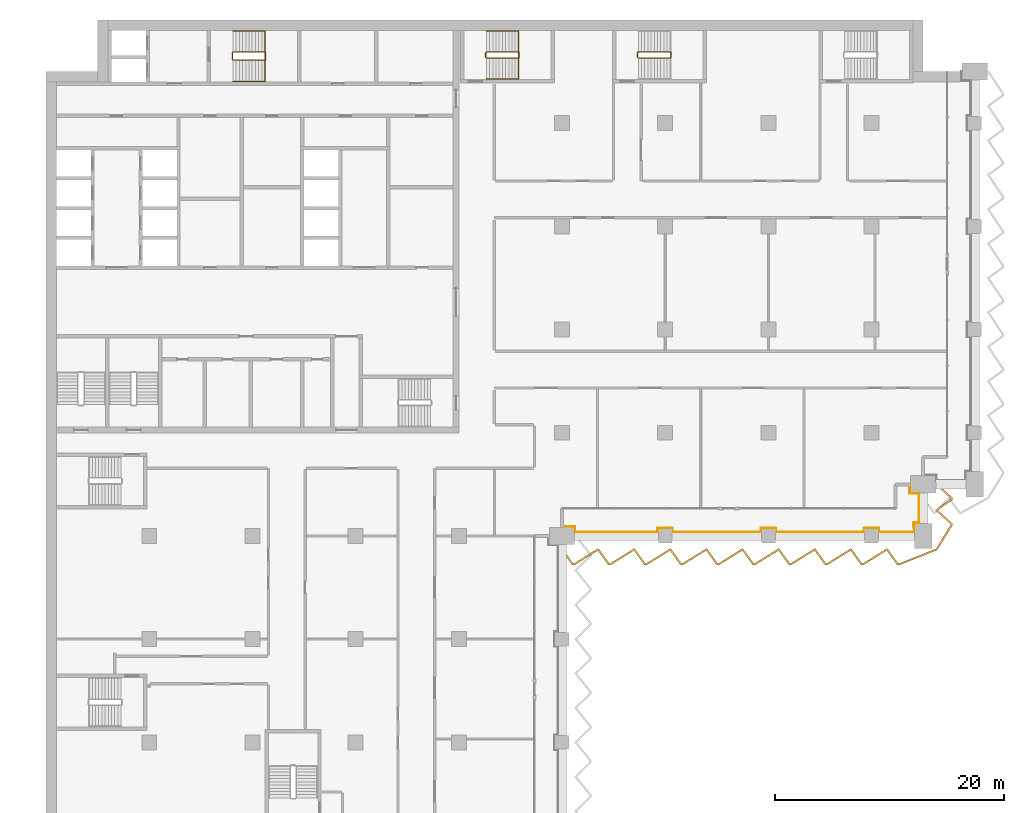
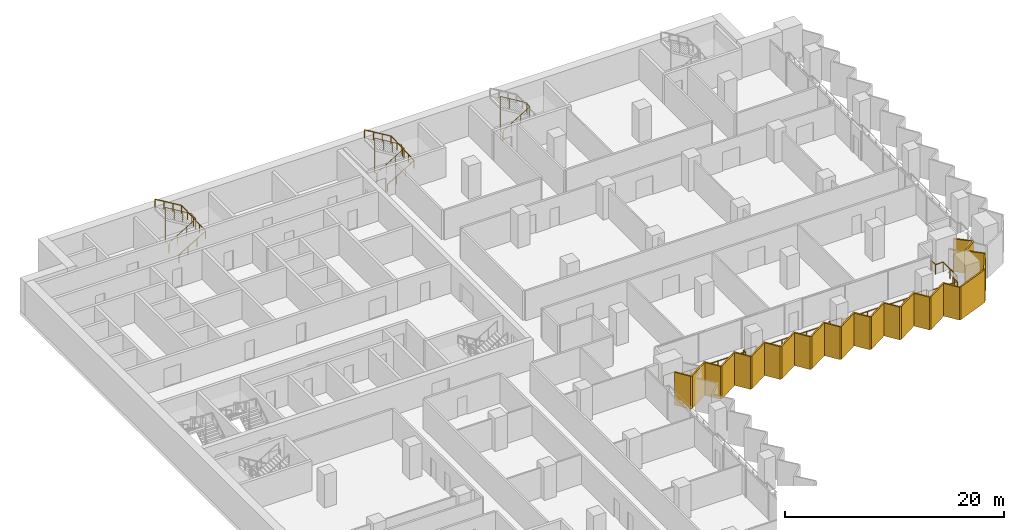
# One storey, part 21 of 22: 6 railings, 1 shading device.
"""IFC4 building model written with IfcOpenShell, lengths in metres."""

from ifc_helpers import new_model, si_unit, direction, frame, origin, origin_2d, place, context, subcontext, project, spatial, polyline, circle, outline, extrude, material, layer, layer_set, type_object, element, save


model = new_model("IFC4")

# Units and contexts
model_context = context("Model", 3, precision=1e-05, world=origin(), true_north=direction((0.0, 1.0)))
body_context = subcontext(model_context, "Body", "Model", "MODEL_VIEW")
ifc_project = project(units=[si_unit("LENGTHUNIT", "METRE"), si_unit("AREAUNIT", "SQUARE_METRE"), si_unit("VOLUMEUNIT", "CUBIC_METRE"), si_unit("PLANEANGLEUNIT", "RADIAN"), si_unit("MASSUNIT", "GRAM", prefix="KILO")], contexts=[model_context])

# Site, building, storey
site_placement = place(None, origin())
site = spatial("IfcSite", under=ifc_project, at=site_placement, CompositionType="ELEMENT")
building_placement = place(site_placement, origin())
building = spatial("IfcBuilding", under=site, at=building_placement, Name="Hunhe Ridgeline Campus", CompositionType="ELEMENT")
storey_placement = place(building_placement, frame((0.0, 0.0, 88.5)))
storey = spatial("IfcBuildingStorey", under=building, at=storey_placement, Name="L21", CompositionType="ELEMENT", Elevation=88.5)

# Railing
ifc_material_1 = material(Name="Steel Q355", Category="steel")
railing_type_1 = type_object("IfcRailingType", Name="Loggia guard 1100 Steel Q355", PredefinedType="GUARDRAIL", material=ifc_material_1)
railing_1_placement = place(storey_placement, frame((45.0, 54.820068359375, 0.0)))
element("IfcRailing", 1, at=railing_1_placement, inside=storey, type_object=railing_type_1, Name="Loggia guard 2", PredefinedType="GUARDRAIL", context=body_context, shape_type="SweptSolid", body=[
    extrude(circle(Radius=0.02392578125, at=origin_2d()), frame((0.0, 0.0, 1.076171875), z_axis=(1.0, 0.0, 0.0), x_axis=(0.0, 1.0, 0.0)), (0.0, 0.0, 1.0), 1.14990234375),
    extrude(circle(Radius=0.02392578125, at=origin_2d()), frame((1.14990234375, 0.0, 1.076171875), z_axis=(0.0, -1.0, 0.0), x_axis=(1.0, 0.0, 0.0)), (0.0, 0.0, 1.0), 0.469970703125),
    extrude(circle(Radius=0.02392578125, at=origin_2d()), frame((1.14990234375, -0.469970703125, 1.076171875), z_axis=(1.0, 0.0, 0.0), x_axis=(0.0, 1.0, 0.0)), (0.0, 0.0, 1.0), 7.2001953125),
    extrude(circle(Radius=0.02392578125, at=origin_2d()), frame((8.35009765625, -0.469970703125, 1.076171875), z_axis=(0.0, 1.0, 0.0), x_axis=(-1.0, 0.0, 0.0)), (0.0, 0.0, 1.0), 0.31982421875),
    extrude(circle(Radius=0.02392578125, at=origin_2d()), frame((8.35009765625, -0.150146484375, 1.076171875), z_axis=(1.0, 0.0, 0.0), x_axis=(0.0, 1.0, 0.0)), (0.0, 0.0, 1.0), 1.2998046875),
    extrude(circle(Radius=0.02392578125, at=origin_2d()), frame((9.64990234375, -0.150146484375, 1.076171875), z_axis=(0.0, -1.0, 0.0), x_axis=(1.0, 0.0, 0.0)), (0.0, 0.0, 1.0), 0.31982421875),
    extrude(circle(Radius=0.02392578125, at=origin_2d()), frame((9.64990234375, -0.469970703125, 1.076171875), z_axis=(1.0, 0.0, 0.0), x_axis=(0.0, 1.0, 0.0)), (0.0, 0.0, 1.0), 7.7001953125),
    extrude(circle(Radius=0.02392578125, at=origin_2d()), frame((17.35009765625, -0.469970703125, 1.076171875), z_axis=(0.0, 1.0, 0.0), x_axis=(-1.0, 0.0, 0.0)), (0.0, 0.0, 1.0), 0.31982421875),
    extrude(circle(Radius=0.02392578125, at=origin_2d()), frame((17.35009765625, -0.150146484375, 1.076171875), z_axis=(1.0, 0.0, 0.0), x_axis=(0.0, 1.0, 0.0)), (0.0, 0.0, 1.0), 1.2998046875),
    extrude(circle(Radius=0.02392578125, at=origin_2d()), frame((18.64990234375, -0.150146484375, 1.076171875), z_axis=(0.0, -1.0, 0.0), x_axis=(1.0, 0.0, 0.0)), (0.0, 0.0, 1.0), 0.31982421875),
    extrude(circle(Radius=0.02392578125, at=origin_2d()), frame((18.64990234375, -0.469970703125, 1.076171875), z_axis=(1.0, 0.0, 0.0), x_axis=(0.0, 1.0, 0.0)), (0.0, 0.0, 1.0), 7.7001953125),
    extrude(circle(Radius=0.02392578125, at=origin_2d()), frame((26.35009765625, -0.469970703125, 1.076171875), z_axis=(0.0, 1.0, 0.0), x_axis=(-1.0, 0.0, 0.0)), (0.0, 0.0, 1.0), 0.31982421875),
    extrude(circle(Radius=0.02392578125, at=origin_2d()), frame((26.35009765625, -0.150146484375, 1.076171875), z_axis=(1.0, 0.0, 0.0), x_axis=(0.0, 1.0, 0.0)), (0.0, 0.0, 1.0), 1.2998046875),
    extrude(circle(Radius=0.02392578125, at=origin_2d()), frame((27.64990234375, -0.150146484375, 1.076171875), z_axis=(0.0, -1.0, 0.0), x_axis=(1.0, 0.0, 0.0)), (0.0, 0.0, 1.0), 0.31982421875),
    extrude(circle(Radius=0.02392578125, at=origin_2d()), frame((27.64990234375, -0.469970703125, 1.076171875), z_axis=(1.0, 0.0, 0.0), x_axis=(0.0, 1.0, 0.0)), (0.0, 0.0, 1.0), 3.050048828125),
    extrude(circle(Radius=0.02392578125, at=origin_2d()), frame((30.699951171875, -0.469970703125, 1.076171875), z_axis=(0.0, 1.0, 0.0), x_axis=(-1.0, 0.0, 0.0)), (0.0, 0.0, 1.0), 0.81982421875),
    extrude(circle(Radius=0.02392578125, at=origin_2d()), frame((30.699951171875, 0.349853515625, 1.076171875), z_axis=(-0.057129153726, -0.99836679622, 0.0), x_axis=(0.99836679622, -0.057129153726, 0.0)), (0.0, 0.0, 1.0), 0.350341796875),
    extrude(circle(Radius=0.02392578125, at=origin_2d()), frame((30.679931640625, 0.0, 1.076171875), z_axis=(0.0, 1.0, 0.0), x_axis=(-1.0, 0.0, 0.0)), (0.0, 0.0, 1.0), 0.329833984375),
    extrude(circle(Radius=0.02392578125, at=origin_2d()), frame((30.679931640625, 0.329833984375, 1.076171875), z_axis=(1.0, 0.0, 0.0), x_axis=(0.0, 1.0, 0.0)), (0.0, 0.0, 1.0), 0.469970703125),
    extrude(circle(Radius=0.02392578125, at=origin_2d()), frame((31.14990234375, 0.329833984375, 1.076171875), z_axis=(0.0, 1.0, 0.0), x_axis=(-1.0, 0.0, 0.0)), (0.0, 0.0, 1.0), 2.550048828125),
    extrude(circle(Radius=0.02392578125, at=origin_2d()), frame((31.14990234375, 2.8798828125, 1.076171875), z_axis=(-1.0, 0.0, 0.0), x_axis=(0.0, -1.0, 0.0)), (0.0, 0.0, 1.0), 0.81982421875),
    extrude(circle(Radius=0.02392578125, at=origin_2d()), frame((30.330078125, 2.8798828125, 1.076171875), z_axis=(0.0, 1.0, 0.0), x_axis=(-1.0, 0.0, 0.0)), (0.0, 0.0, 1.0), 0.800048828125),
    extrude(circle(Radius=0.02099609375, at=origin_2d()), origin(), (0.0, 0.0, 1.0), 1.052001953125),
    extrude(circle(Radius=0.02099609375, at=origin_2d()), frame((1.14990234375, 0.0, 0.0)), (0.0, 0.0, 1.0), 1.052001953125),
    extrude(circle(Radius=0.02099609375, at=origin_2d()), frame((1.14990234375, -0.469970703125, 0.0)), (0.0, 0.0, 1.0), 1.052001953125),
    extrude(circle(Radius=0.02099609375, at=origin_2d()), frame((2.58984375, -0.469970703125, 0.0)), (0.0, 0.0, 1.0), 1.052001953125),
    extrude(circle(Radius=0.02099609375, at=origin_2d()), frame((4.030029296875, -0.469970703125, 0.0)), (0.0, 0.0, 1.0), 1.052001953125),
    extrude(circle(Radius=0.02099609375, at=origin_2d()), frame((5.469970703125, -0.469970703125, 0.0)), (0.0, 0.0, 1.0), 1.052001953125),
    extrude(circle(Radius=0.02099609375, at=origin_2d()), frame((6.91015625, -0.469970703125, 0.0)), (0.0, 0.0, 1.0), 1.052001953125),
    extrude(circle(Radius=0.02099609375, at=origin_2d()), frame((8.35009765625, -0.469970703125, 0.0)), (0.0, 0.0, 1.0), 1.052001953125),
    extrude(circle(Radius=0.02099609375, at=origin_2d()), frame((8.35009765625, -0.150146484375, 0.0)), (0.0, 0.0, 1.0), 1.052001953125),
    extrude(circle(Radius=0.02099609375, at=origin_2d()), frame((9.64990234375, -0.150146484375, 0.0)), (0.0, 0.0, 1.0), 1.052001953125),
    extrude(circle(Radius=0.02099609375, at=origin_2d()), frame((9.64990234375, -0.469970703125, 0.0)), (0.0, 0.0, 1.0), 1.052001953125),
    extrude(circle(Radius=0.02099609375, at=origin_2d()), frame((10.933349609375, -0.469970703125, 0.0)), (0.0, 0.0, 1.0), 1.052001953125),
    extrude(circle(Radius=0.02099609375, at=origin_2d()), frame((12.216552734375, -0.469970703125, 0.0)), (0.0, 0.0, 1.0), 1.052001953125),
    extrude(circle(Radius=0.02099609375, at=origin_2d()), frame((13.5, -0.469970703125, 0.0)), (0.0, 0.0, 1.0), 1.052001953125),
    extrude(circle(Radius=0.02099609375, at=origin_2d()), frame((14.783447265625, -0.469970703125, 0.0)), (0.0, 0.0, 1.0), 1.052001953125),
    extrude(circle(Radius=0.02099609375, at=origin_2d()), frame((16.066650390625, -0.469970703125, 0.0)), (0.0, 0.0, 1.0), 1.052001953125),
    extrude(circle(Radius=0.02099609375, at=origin_2d()), frame((17.35009765625, -0.469970703125, 0.0)), (0.0, 0.0, 1.0), 1.052001953125),
    extrude(circle(Radius=0.02099609375, at=origin_2d()), frame((17.35009765625, -0.150146484375, 0.0)), (0.0, 0.0, 1.0), 1.052001953125),
    extrude(circle(Radius=0.02099609375, at=origin_2d()), frame((18.64990234375, -0.150146484375, 0.0)), (0.0, 0.0, 1.0), 1.052001953125),
    extrude(circle(Radius=0.02099609375, at=origin_2d()), frame((18.64990234375, -0.469970703125, 0.0)), (0.0, 0.0, 1.0), 1.052001953125),
    extrude(circle(Radius=0.02099609375, at=origin_2d()), frame((19.933349609375, -0.469970703125, 0.0)), (0.0, 0.0, 1.0), 1.052001953125),
    extrude(circle(Radius=0.02099609375, at=origin_2d()), frame((21.216552734375, -0.469970703125, 0.0)), (0.0, 0.0, 1.0), 1.052001953125),
    extrude(circle(Radius=0.02099609375, at=origin_2d()), frame((22.5, -0.469970703125, 0.0)), (0.0, 0.0, 1.0), 1.052001953125),
    extrude(circle(Radius=0.02099609375, at=origin_2d()), frame((23.783447265625, -0.469970703125, 0.0)), (0.0, 0.0, 1.0), 1.052001953125),
    extrude(circle(Radius=0.02099609375, at=origin_2d()), frame((25.066650390625, -0.469970703125, 0.0)), (0.0, 0.0, 1.0), 1.052001953125),
    extrude(circle(Radius=0.02099609375, at=origin_2d()), frame((26.35009765625, -0.469970703125, 0.0)), (0.0, 0.0, 1.0), 1.052001953125),
    extrude(circle(Radius=0.02099609375, at=origin_2d()), frame((26.35009765625, -0.150146484375, 0.0)), (0.0, 0.0, 1.0), 1.052001953125),
    extrude(circle(Radius=0.02099609375, at=origin_2d()), frame((27.64990234375, -0.150146484375, 0.0)), (0.0, 0.0, 1.0), 1.052001953125),
    extrude(circle(Radius=0.02099609375, at=origin_2d()), frame((27.64990234375, -0.469970703125, 0.0)), (0.0, 0.0, 1.0), 1.052001953125),
    extrude(circle(Radius=0.02099609375, at=origin_2d()), frame((28.66650390625, -0.469970703125, 0.0)), (0.0, 0.0, 1.0), 1.052001953125),
    extrude(circle(Radius=0.02099609375, at=origin_2d()), frame((29.683349609375, -0.469970703125, 0.0)), (0.0, 0.0, 1.0), 1.052001953125),
    extrude(circle(Radius=0.02099609375, at=origin_2d()), frame((30.699951171875, -0.469970703125, 0.0)), (0.0, 0.0, 1.0), 1.052001953125),
    extrude(circle(Radius=0.02099609375, at=origin_2d()), frame((30.699951171875, 0.349853515625, 0.0)), (0.0, 0.0, 1.0), 1.052001953125),
    extrude(circle(Radius=0.02099609375, at=origin_2d()), frame((30.679931640625, 0.0, 0.0)), (0.0, 0.0, 1.0), 1.052001953125),
    extrude(circle(Radius=0.02099609375, at=origin_2d()), frame((30.679931640625, 0.329833984375, 0.0)), (0.0, 0.0, 1.0), 1.052001953125),
    extrude(circle(Radius=0.02099609375, at=origin_2d()), frame((31.14990234375, 0.329833984375, 0.0)), (0.0, 0.0, 1.0), 1.052001953125),
    extrude(circle(Radius=0.02099609375, at=origin_2d()), frame((31.14990234375, 1.60498046875, 0.0)), (0.0, 0.0, 1.0), 1.052001953125),
    extrude(circle(Radius=0.02099609375, at=origin_2d()), frame((31.14990234375, 2.8798828125, 0.0)), (0.0, 0.0, 1.0), 1.052001953125),
    extrude(circle(Radius=0.02099609375, at=origin_2d()), frame((30.330078125, 2.8798828125, 0.0)), (0.0, 0.0, 1.0), 1.052001953125),
    extrude(circle(Radius=0.02099609375, at=origin_2d()), frame((30.330078125, 3.679931640625, 0.0)), (0.0, 0.0, 1.0), 1.052001953125),
])

# Shading device
ifc_material_2 = material(Name="Concrete C50", Category="concrete")
ifc_layer = layer(ifc_material_2, 0.14990234375)
ifc_layer_set = layer_set([ifc_layer], Name="Sawtooth concrete fin 150 Concrete C50")
shading_device_type = type_object("IfcShadingDeviceType", Name="Sawtooth concrete fin 150 Concrete C50", PredefinedType="USERDEFINED", material=ifc_layer_set)
shading_device_placement = place(storey_placement, frame((0.0, 0.0, -0.949951171875)))
element("IfcShadingDevice", 2, at=shading_device_placement, inside=storey, type_object=shading_device_type, Name="Concrete fin screen 2", ObjectType="FIN", PredefinedType="USERDEFINED", context=body_context, shape_type="SweptSolid", body=[
    extrude(outline(polyline([(45.060791015625, 52.868896484375), (44.939208984375, 52.78125), (45.896484375, 51.449951171875), (46.076416015625, 51.449951171875), (48.130126953125, 52.724365234375), (49.046630859375, 51.449951171875), (49.226318359375, 51.449951171875), (51.280029296875, 52.724365234375), (52.196533203125, 51.449951171875), (52.37646484375, 51.449951171875), (54.429931640625, 52.724365234375), (55.3466796875, 51.449951171875), (55.5263671875, 51.449951171875), (57.580078125, 52.724365234375), (58.49658203125, 51.449951171875), (58.67626953125, 51.449951171875), (60.72998046875, 52.724365234375), (61.646484375, 51.449951171875), (61.826416015625, 51.449951171875), (63.880126953125, 52.724365234375), (64.796630859375, 51.449951171875), (64.976318359375, 51.449951171875), (67.030029296875, 52.724365234375), (67.946533203125, 51.449951171875), (68.12646484375, 51.449951171875), (70.179931640625, 52.724365234375), (71.0966796875, 51.449951171875), (71.2763671875, 51.449951171875), (73.330078125, 52.724365234375), (74.24658203125, 51.449951171875), (74.41943359375, 51.449951171875), (77.725830078125, 52.764404296875), (79.050048828125, 54.913818359375), (79.050048828125, 55.087890625), (77.79345703125, 56.242919921875), (79.050048828125, 57.146484375), (79.050048828125, 57.337890625), (77.725830078125, 58.55517578125), (77.624267578125, 58.44482421875), (78.89990234375, 57.27197265625), (78.89990234375, 57.223388671875), (77.556396484375, 56.257080078125), (78.89990234375, 55.02197265625), (78.89990234375, 54.956298828125), (77.624267578125, 52.885498046875), (74.390625, 51.60009765625), (74.323486328125, 51.60009765625), (73.369873046875, 52.92578125), (71.233642578125, 51.60009765625), (71.17333984375, 51.60009765625), (70.219970703125, 52.92578125), (68.083740234375, 51.60009765625), (68.0234375, 51.60009765625), (67.070068359375, 52.92578125), (64.93359375, 51.60009765625), (64.87353515625, 51.60009765625), (63.919921875, 52.92578125), (61.78369140625, 51.60009765625), (61.723388671875, 51.60009765625), (60.77001953125, 52.92578125), (58.633544921875, 51.60009765625), (58.573486328125, 51.60009765625), (57.619873046875, 52.92578125), (55.483642578125, 51.60009765625), (55.42333984375, 51.60009765625), (54.469970703125, 52.92578125), (52.333740234375, 51.60009765625), (52.2734375, 51.60009765625), (51.320068359375, 52.92578125), (49.18359375, 51.60009765625), (49.12353515625, 51.60009765625), (48.169921875, 52.92578125), (46.03369140625, 51.60009765625), (45.973388671875, 51.60009765625), (45.060791015625, 52.868896484375)])), origin(), (0.0, 0.0, 1.0), 3.64990234375),
])

# Railings
ifc_material_3 = material(Name="Stainless steel balustrade", Category="steel")
railing_type_2 = type_object("IfcRailingType", Name="Stair guard 1100 stainless", PredefinedType="GUARDRAIL", material=ifc_material_3)
railing_2_placement = place(storey_placement, frame((16.300048828125, 95.5, 0.168212890625)))
element("IfcRailing", 3, at=railing_2_placement, inside=storey, type_object=railing_type_2, Name="L21 stair S1 guard", PredefinedType="GUARDRAIL", context=body_context, shape_type="SweptSolid", body=[
    extrude(circle(Radius=0.02392578125, at=origin_2d()), frame((0.0, 0.0, 1.076171875), z_axis=(0.857242210791, 0.0, 0.514913383045), x_axis=(0.0, 1.0, 0.0)), (0.0, 0.0, 1.0), 3.266357421875),
    extrude(circle(Radius=0.02392578125, at=origin_2d()), frame((2.800048828125, 0.0, 2.7578125), z_axis=(0.705375805398, 0.708833529934, 0.0), x_axis=(-0.708833529934, 0.705375805398, 0.0)), (0.0, 0.0, 1.0), 0.070556640625),
    extrude(circle(Radius=0.02392578125, at=origin_2d()), frame((2.849853515625, 0.050048828125, 2.7578125), z_axis=(0.0, 1.0, 0.0), x_axis=(-1.0, 0.0, 0.0)), (0.0, 0.0, 1.0), 0.599853515625),
    extrude(circle(Radius=0.02392578125, at=origin_2d()), frame((2.849853515625, 0.64990234375, 2.7578125), z_axis=(-0.273343290215, 0.274683208305, 0.921863645432), x_axis=(-0.708833529934, -0.705375805398, 0.0)), (0.0, 0.0, 1.0), 0.18212890625),
    extrude(circle(Radius=0.02392578125, at=origin_2d()), frame((2.800048828125, 0.699951171875, 2.92578125), z_axis=(-0.857242210791, 0.0, 0.514913383045), x_axis=(0.0, -1.0, 0.0)), (0.0, 0.0, 1.0), 3.266357421875),
    extrude(circle(Radius=0.02392578125, at=origin_2d()), frame((0.0, 0.699951171875, 4.60791015625), z_axis=(-0.013524414389, -0.013524414389, -0.999817073484), x_axis=(0.707106781187, -0.707106781187, 0.0)), (0.0, 0.0, 1.0), 3.70068359375),
    extrude(circle(Radius=0.02392578125, at=origin_2d()), frame((-0.050048828125, 0.64990234375, 0.90771484375), z_axis=(0.0, -1.0, 0.0), x_axis=(1.0, 0.0, 0.0)), (0.0, 0.0, 1.0), 0.599853515625),
    extrude(circle(Radius=0.02099609375, at=origin_2d()), origin(), (0.0, 0.0, 1.0), 1.052001953125),
    extrude(circle(Radius=0.02099609375, at=origin_2d()), frame((0.933349609375, 0.0, 0.560546875)), (0.0, 0.0, 1.0), 1.052001953125),
    extrude(circle(Radius=0.02099609375, at=origin_2d()), frame((1.86669921875, 0.0, 1.121337890625)), (0.0, 0.0, 1.0), 1.052001953125),
    extrude(circle(Radius=0.02099609375, at=origin_2d()), frame((2.800048828125, 0.0, 1.681884765625)), (0.0, 0.0, 1.0), 1.052001953125),
    extrude(circle(Radius=0.02099609375, at=origin_2d()), frame((2.849853515625, 0.050048828125, 1.681884765625)), (0.0, 0.0, 1.0), 1.052001953125),
    extrude(circle(Radius=0.02099609375, at=origin_2d()), frame((2.849853515625, 0.64990234375, 1.681884765625)), (0.0, 0.0, 1.0), 1.052001953125),
    extrude(circle(Radius=0.02099609375, at=origin_2d()), frame((2.800048828125, 0.699951171875, 1.849853515625)), (0.0, 0.0, 1.0), 1.052001953125),
    extrude(circle(Radius=0.02099609375, at=origin_2d()), frame((1.86669921875, 0.699951171875, 2.410400390625)), (0.0, 0.0, 1.0), 1.052001953125),
    extrude(circle(Radius=0.02099609375, at=origin_2d()), frame((0.933349609375, 0.699951171875, 2.97119140625)), (0.0, 0.0, 1.0), 1.052001953125),
    extrude(circle(Radius=0.02099609375, at=origin_2d()), frame((0.0, 0.699951171875, 3.53173828125)), (0.0, 0.0, 1.0), 1.052001953125),
    extrude(circle(Radius=0.02099609375, at=origin_2d()), frame((-0.012451171875, 0.6875, 2.606689453125)), (0.0, 0.0, 1.0), 1.052001953125),
    extrude(circle(Radius=0.02099609375, at=origin_2d()), frame((-0.02490234375, 0.6748046875, 1.681640625)), (0.0, 0.0, 1.0), 1.052001953125),
    extrude(circle(Radius=0.02099609375, at=origin_2d()), frame((-0.03759765625, 0.662353515625, 0.7568359375)), (0.0, 0.0, 1.0), 1.052001953125),
    extrude(circle(Radius=0.02099609375, at=origin_2d()), frame((-0.050048828125, 0.64990234375, -0.168212890625)), (0.0, 0.0, 1.0), 1.052001953125),
    extrude(circle(Radius=0.02099609375, at=origin_2d()), frame((-0.050048828125, 0.050048828125, -0.168212890625)), (0.0, 0.0, 1.0), 1.052001953125),
])
railing_3_placement = place(storey_placement, frame((38.39990234375, 95.699951171875, 0.168212890625)))
element("IfcRailing", 4, at=railing_3_placement, inside=storey, type_object=railing_type_2, Name="L21 stair E1 guard", PredefinedType="GUARDRAIL", context=body_context, shape_type="SweptSolid", body=[
    extrude(circle(Radius=0.02392578125, at=origin_2d()), frame((0.0, 0.0, 1.076171875), z_axis=(0.857242210791, 0.0, 0.514913383045), x_axis=(0.0, 1.0, 0.0)), (0.0, 0.0, 1.0), 3.266357421875),
    extrude(circle(Radius=0.02392578125, at=origin_2d()), frame((2.800048828125, 0.0, 2.7578125), z_axis=(0.707106781187, 0.707106781187, 0.0), x_axis=(-0.707106781187, 0.707106781187, 0.0)), (0.0, 0.0, 1.0), 0.07080078125),
    extrude(circle(Radius=0.02392578125, at=origin_2d()), frame((2.85009765625, 0.050048828125, 2.7578125), z_axis=(0.0, 1.0, 0.0), x_axis=(-1.0, 0.0, 0.0)), (0.0, 0.0, 1.0), 0.39990234375),
    extrude(circle(Radius=0.02392578125, at=origin_2d()), frame((2.85009765625, 0.449951171875, 2.7578125), z_axis=(-0.274582412415, 0.274582412415, 0.921525364591), x_axis=(-0.707106781187, -0.707106781187, 0.0)), (0.0, 0.0, 1.0), 0.182373046875),
    extrude(circle(Radius=0.02392578125, at=origin_2d()), frame((2.800048828125, 0.5, 2.92578125), z_axis=(-0.857242210791, 0.0, 0.514913383045), x_axis=(0.0, -1.0, 0.0)), (0.0, 0.0, 1.0), 3.266357421875),
    extrude(circle(Radius=0.02392578125, at=origin_2d()), frame((0.0, 0.5, 4.60791015625), z_axis=(-0.013458453615, -0.013524426427, -0.999817963389), x_axis=(0.708833529934, -0.705375805398, 0.0)), (0.0, 0.0, 1.0), 3.70068359375),
    extrude(circle(Radius=0.02392578125, at=origin_2d()), frame((-0.0498046875, 0.449951171875, 0.90771484375), z_axis=(0.0, -1.0, 0.0), x_axis=(1.0, 0.0, 0.0)), (0.0, 0.0, 1.0), 0.39990234375),
    extrude(circle(Radius=0.02099609375, at=origin_2d()), origin(), (0.0, 0.0, 1.0), 1.052001953125),
    extrude(circle(Radius=0.02099609375, at=origin_2d()), frame((0.933349609375, 0.0, 0.560546875)), (0.0, 0.0, 1.0), 1.052001953125),
    extrude(circle(Radius=0.02099609375, at=origin_2d()), frame((1.86669921875, 0.0, 1.121337890625)), (0.0, 0.0, 1.0), 1.052001953125),
    extrude(circle(Radius=0.02099609375, at=origin_2d()), frame((2.800048828125, 0.0, 1.681884765625)), (0.0, 0.0, 1.0), 1.052001953125),
    extrude(circle(Radius=0.02099609375, at=origin_2d()), frame((2.85009765625, 0.050048828125, 1.681884765625)), (0.0, 0.0, 1.0), 1.052001953125),
    extrude(circle(Radius=0.02099609375, at=origin_2d()), frame((2.85009765625, 0.449951171875, 1.681884765625)), (0.0, 0.0, 1.0), 1.052001953125),
    extrude(circle(Radius=0.02099609375, at=origin_2d()), frame((2.800048828125, 0.5, 1.849853515625)), (0.0, 0.0, 1.0), 1.052001953125),
    extrude(circle(Radius=0.02099609375, at=origin_2d()), frame((1.86669921875, 0.5, 2.410400390625)), (0.0, 0.0, 1.0), 1.052001953125),
    extrude(circle(Radius=0.02099609375, at=origin_2d()), frame((0.933349609375, 0.5, 2.97119140625)), (0.0, 0.0, 1.0), 1.052001953125),
    extrude(circle(Radius=0.02099609375, at=origin_2d()), frame((0.0, 0.5, 3.53173828125)), (0.0, 0.0, 1.0), 1.052001953125),
    extrude(circle(Radius=0.02099609375, at=origin_2d()), frame((-0.012451171875, 0.487548828125, 2.606689453125)), (0.0, 0.0, 1.0), 1.052001953125),
    extrude(circle(Radius=0.02099609375, at=origin_2d()), frame((-0.02490234375, 0.47509765625, 1.681640625)), (0.0, 0.0, 1.0), 1.052001953125),
    extrude(circle(Radius=0.02099609375, at=origin_2d()), frame((-0.037353515625, 0.46240234375, 0.7568359375)), (0.0, 0.0, 1.0), 1.052001953125),
    extrude(circle(Radius=0.02099609375, at=origin_2d()), frame((-0.0498046875, 0.449951171875, -0.168212890625)), (0.0, 0.0, 1.0), 1.052001953125),
    extrude(circle(Radius=0.02099609375, at=origin_2d()), frame((-0.0498046875, 0.050048828125, -0.168212890625)), (0.0, 0.0, 1.0), 1.052001953125),
])
railing_4_placement = place(storey_placement, frame((51.64990234375, 95.699951171875, 0.168212890625)))
element("IfcRailing", 5, at=railing_4_placement, inside=storey, type_object=railing_type_2, Name="L21 stair E2 guard", PredefinedType="GUARDRAIL", context=body_context, shape_type="SweptSolid", body=[
    extrude(circle(Radius=0.02392578125, at=origin_2d()), frame((0.0, 0.0, 1.076171875), z_axis=(0.857242210791, 0.0, 0.514913383045), x_axis=(0.0, 1.0, 0.0)), (0.0, 0.0, 1.0), 3.266357421875),
    extrude(circle(Radius=0.02392578125, at=origin_2d()), frame((2.800048828125, 0.0, 2.7578125), z_axis=(0.707106781187, 0.707106781187, 0.0), x_axis=(-0.707106781187, 0.707106781187, 0.0)), (0.0, 0.0, 1.0), 0.07080078125),
    extrude(circle(Radius=0.02392578125, at=origin_2d()), frame((2.85009765625, 0.050048828125, 2.7578125), z_axis=(0.0, 1.0, 0.0), x_axis=(-1.0, 0.0, 0.0)), (0.0, 0.0, 1.0), 0.39990234375),
    extrude(circle(Radius=0.02392578125, at=origin_2d()), frame((2.85009765625, 0.449951171875, 2.7578125), z_axis=(-0.274582412415, 0.274582412415, 0.921525364591), x_axis=(-0.707106781187, -0.707106781187, 0.0)), (0.0, 0.0, 1.0), 0.182373046875),
    extrude(circle(Radius=0.02392578125, at=origin_2d()), frame((2.800048828125, 0.5, 2.92578125), z_axis=(-0.857242210791, 0.0, 0.514913383045), x_axis=(0.0, -1.0, 0.0)), (0.0, 0.0, 1.0), 3.266357421875),
    extrude(circle(Radius=0.02392578125, at=origin_2d()), frame((0.0, 0.5, 4.60791015625), z_axis=(-0.013458453615, -0.013524426427, -0.999817963389), x_axis=(0.708833529934, -0.705375805398, 0.0)), (0.0, 0.0, 1.0), 3.70068359375),
    extrude(circle(Radius=0.02392578125, at=origin_2d()), frame((-0.0498046875, 0.449951171875, 0.90771484375), z_axis=(0.0, -1.0, 0.0), x_axis=(1.0, 0.0, 0.0)), (0.0, 0.0, 1.0), 0.39990234375),
    extrude(circle(Radius=0.02099609375, at=origin_2d()), origin(), (0.0, 0.0, 1.0), 1.052001953125),
    extrude(circle(Radius=0.02099609375, at=origin_2d()), frame((0.933349609375, 0.0, 0.560546875)), (0.0, 0.0, 1.0), 1.052001953125),
    extrude(circle(Radius=0.02099609375, at=origin_2d()), frame((1.86669921875, 0.0, 1.121337890625)), (0.0, 0.0, 1.0), 1.052001953125),
    extrude(circle(Radius=0.02099609375, at=origin_2d()), frame((2.800048828125, 0.0, 1.681884765625)), (0.0, 0.0, 1.0), 1.052001953125),
    extrude(circle(Radius=0.02099609375, at=origin_2d()), frame((2.85009765625, 0.050048828125, 1.681884765625)), (0.0, 0.0, 1.0), 1.052001953125),
    extrude(circle(Radius=0.02099609375, at=origin_2d()), frame((2.85009765625, 0.449951171875, 1.681884765625)), (0.0, 0.0, 1.0), 1.052001953125),
    extrude(circle(Radius=0.02099609375, at=origin_2d()), frame((2.800048828125, 0.5, 1.849853515625)), (0.0, 0.0, 1.0), 1.052001953125),
    extrude(circle(Radius=0.02099609375, at=origin_2d()), frame((1.86669921875, 0.5, 2.410400390625)), (0.0, 0.0, 1.0), 1.052001953125),
    extrude(circle(Radius=0.02099609375, at=origin_2d()), frame((0.933349609375, 0.5, 2.97119140625)), (0.0, 0.0, 1.0), 1.052001953125),
    extrude(circle(Radius=0.02099609375, at=origin_2d()), frame((0.0, 0.5, 3.53173828125)), (0.0, 0.0, 1.0), 1.052001953125),
    extrude(circle(Radius=0.02099609375, at=origin_2d()), frame((-0.012451171875, 0.487548828125, 2.606689453125)), (0.0, 0.0, 1.0), 1.052001953125),
    extrude(circle(Radius=0.02099609375, at=origin_2d()), frame((-0.02490234375, 0.47509765625, 1.681640625)), (0.0, 0.0, 1.0), 1.052001953125),
    extrude(circle(Radius=0.02099609375, at=origin_2d()), frame((-0.037353515625, 0.46240234375, 0.7568359375)), (0.0, 0.0, 1.0), 1.052001953125),
    extrude(circle(Radius=0.02099609375, at=origin_2d()), frame((-0.0498046875, 0.449951171875, -0.168212890625)), (0.0, 0.0, 1.0), 1.052001953125),
    extrude(circle(Radius=0.02099609375, at=origin_2d()), frame((-0.0498046875, 0.050048828125, -0.168212890625)), (0.0, 0.0, 1.0), 1.052001953125),
])
ifc_material_4 = material(Name="Stainless steel handrail", Category="steel")
railing_type_3 = type_object("IfcRailingType", Name="Stair handrail 900 stainless", PredefinedType="HANDRAIL", material=ifc_material_4)
railing_5_placement = place(storey_placement, frame((16.300048828125, 93.64990234375, 0.168212890625)))
element("IfcRailing", 6, at=railing_5_placement, inside=storey, type_object=railing_type_3, Name="L21 stair S1 handrail", PredefinedType="HANDRAIL", context=body_context, shape_type="SweptSolid", body=[
    extrude(circle(Radius=0.02392578125, at=origin_2d()), frame((0.0, 0.0, 0.8759765625), z_axis=(0.857242210791, 0.0, 0.514913383045), x_axis=(0.0, 1.0, 0.0)), (0.0, 0.0, 1.0), 3.266357421875),
    extrude(circle(Radius=0.02392578125, at=origin_2d()), frame((2.800048828125, 0.0, 2.5576171875), z_axis=(0.0, 0.999272189381, 0.038145662004), x_axis=(-1.0, 0.0, 0.0)), (0.0, 0.0, 1.0), 4.4033203125),
    extrude(circle(Radius=0.02392578125, at=origin_2d()), frame((2.800048828125, 4.400146484375, 2.7255859375), z_axis=(-0.857242210791, 0.0, 0.514913383045), x_axis=(0.0, -1.0, 0.0)), (0.0, 0.0, 1.0), 3.266357421875),
    extrude(circle(Radius=0.02099609375, at=origin_2d()), origin(), (0.0, 0.0, 1.0), 0.851806640625),
    extrude(circle(Radius=0.02099609375, at=origin_2d()), frame((0.933349609375, 0.0, 0.560546875)), (0.0, 0.0, 1.0), 0.851806640625),
    extrude(circle(Radius=0.02099609375, at=origin_2d()), frame((1.86669921875, 0.0, 1.121337890625)), (0.0, 0.0, 1.0), 0.851806640625),
    extrude(circle(Radius=0.02099609375, at=origin_2d()), frame((2.800048828125, 0.0, 1.681884765625)), (0.0, 0.0, 1.0), 0.851806640625),
    extrude(circle(Radius=0.02099609375, at=origin_2d()), frame((2.800048828125, 1.10009765625, 1.723876953125)), (0.0, 0.0, 1.0), 0.851806640625),
    extrude(circle(Radius=0.02099609375, at=origin_2d()), frame((2.800048828125, 2.2001953125, 1.765869140625)), (0.0, 0.0, 1.0), 0.851806640625),
    extrude(circle(Radius=0.02099609375, at=origin_2d()), frame((2.800048828125, 3.300048828125, 1.807861328125)), (0.0, 0.0, 1.0), 0.851806640625),
    extrude(circle(Radius=0.02099609375, at=origin_2d()), frame((2.800048828125, 4.400146484375, 1.849853515625)), (0.0, 0.0, 1.0), 0.851806640625),
    extrude(circle(Radius=0.02099609375, at=origin_2d()), frame((1.86669921875, 4.400146484375, 2.410400390625)), (0.0, 0.0, 1.0), 0.851806640625),
    extrude(circle(Radius=0.02099609375, at=origin_2d()), frame((0.933349609375, 4.400146484375, 2.97119140625)), (0.0, 0.0, 1.0), 0.851806640625),
    extrude(circle(Radius=0.02099609375, at=origin_2d()), frame((0.0, 4.400146484375, 3.53173828125)), (0.0, 0.0, 1.0), 0.851806640625),
])
railing_6_placement = place(storey_placement, frame((38.39990234375, 93.85009765625, 0.168212890625)))
element("IfcRailing", 7, at=railing_6_placement, inside=storey, type_object=railing_type_3, Name="L21 stair E1 handrail", PredefinedType="HANDRAIL", context=body_context, shape_type="SweptSolid", body=[
    extrude(circle(Radius=0.02392578125, at=origin_2d()), frame((0.0, 0.0, 0.8759765625), z_axis=(0.857242210791, 0.0, 0.514913383045), x_axis=(0.0, 1.0, 0.0)), (0.0, 0.0, 1.0), 3.266357421875),
    extrude(circle(Radius=0.02392578125, at=origin_2d()), frame((2.800048828125, 0.0, 2.5576171875), z_axis=(0.0, 0.99920123705, 0.039961079526), x_axis=(-1.0, 0.0, 0.0)), (0.0, 0.0, 1.0), 4.203369140625),
    extrude(circle(Radius=0.02392578125, at=origin_2d()), frame((2.800048828125, 4.199951171875, 2.7255859375), z_axis=(-0.857242210791, 0.0, 0.514913383045), x_axis=(0.0, -1.0, 0.0)), (0.0, 0.0, 1.0), 3.266357421875),
    extrude(circle(Radius=0.02099609375, at=origin_2d()), origin(), (0.0, 0.0, 1.0), 0.851806640625),
    extrude(circle(Radius=0.02099609375, at=origin_2d()), frame((0.933349609375, 0.0, 0.560546875)), (0.0, 0.0, 1.0), 0.851806640625),
    extrude(circle(Radius=0.02099609375, at=origin_2d()), frame((1.86669921875, 0.0, 1.121337890625)), (0.0, 0.0, 1.0), 0.851806640625),
    extrude(circle(Radius=0.02099609375, at=origin_2d()), frame((2.800048828125, 0.0, 1.681884765625)), (0.0, 0.0, 1.0), 0.851806640625),
    extrude(circle(Radius=0.02099609375, at=origin_2d()), frame((2.800048828125, 1.050048828125, 1.723876953125)), (0.0, 0.0, 1.0), 0.851806640625),
    extrude(circle(Radius=0.02099609375, at=origin_2d()), frame((2.800048828125, 2.10009765625, 1.765869140625)), (0.0, 0.0, 1.0), 0.851806640625),
    extrude(circle(Radius=0.02099609375, at=origin_2d()), frame((2.800048828125, 3.14990234375, 1.807861328125)), (0.0, 0.0, 1.0), 0.851806640625),
    extrude(circle(Radius=0.02099609375, at=origin_2d()), frame((2.800048828125, 4.199951171875, 1.849853515625)), (0.0, 0.0, 1.0), 0.851806640625),
    extrude(circle(Radius=0.02099609375, at=origin_2d()), frame((1.86669921875, 4.199951171875, 2.410400390625)), (0.0, 0.0, 1.0), 0.851806640625),
    extrude(circle(Radius=0.02099609375, at=origin_2d()), frame((0.933349609375, 4.199951171875, 2.97119140625)), (0.0, 0.0, 1.0), 0.851806640625),
    extrude(circle(Radius=0.02099609375, at=origin_2d()), frame((0.0, 4.199951171875, 3.53173828125)), (0.0, 0.0, 1.0), 0.851806640625),
])

save(model, "model.ifc")
